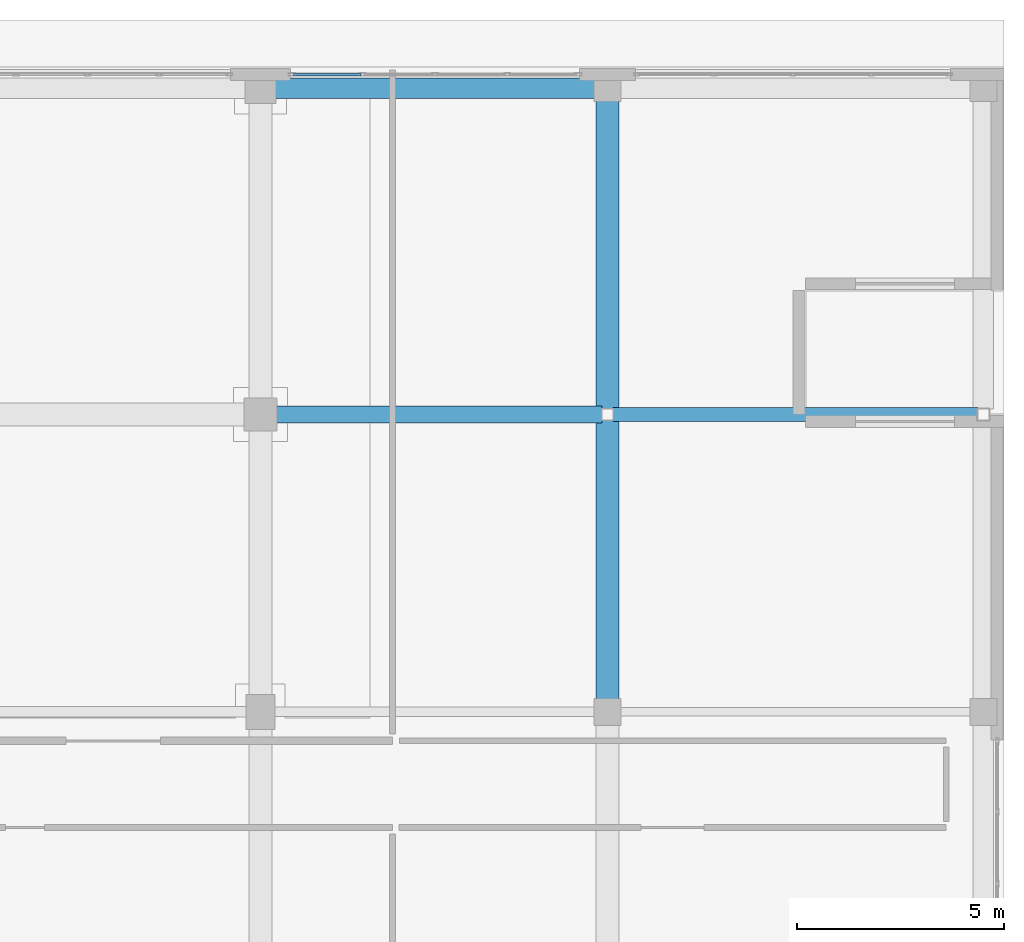
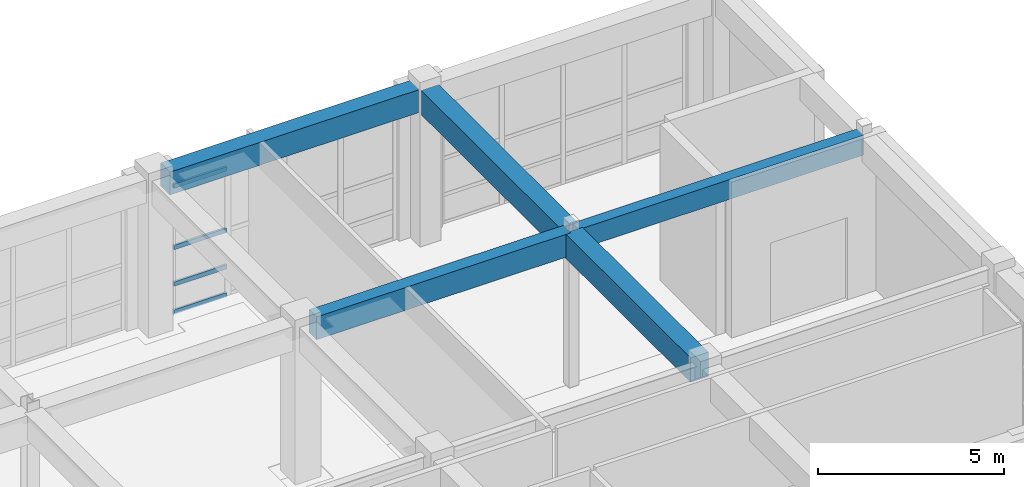
# One storey, part 105 of 148: 5 beams, 4 members, 1 element without a shape of its own.
"""IFC4 building model written with IfcOpenShell, lengths in metres."""

from ifc_helpers import new_model, si_unit, direction, frame, origin, origin_2d, place, context, subcontext, project, spatial, rectangle, hollow_rectangle, extrude, material, layer, layer_set, material_profile, profile_set, type_object, element, aggregate, save


model = new_model("IFC4")

# Units and contexts
model_context = context("Model", 3, precision=1e-05, world=origin(), true_north=direction((0.0, 1.0)))
body_context = subcontext(model_context, "Body", "Model", "MODEL_VIEW")
ifc_project = project(units=[si_unit("LENGTHUNIT", "METRE"), si_unit("AREAUNIT", "SQUARE_METRE"), si_unit("VOLUMEUNIT", "CUBIC_METRE"), si_unit("PLANEANGLEUNIT", "RADIAN"), si_unit("MASSUNIT", "GRAM", prefix="KILO")], contexts=[model_context])

# Site, building, storey
site_placement = place(None, origin())
site = spatial("IfcSite", under=ifc_project, at=site_placement, CompositionType="ELEMENT")
building_placement = place(site_placement, origin())
building = spatial("IfcBuilding", under=site, at=building_placement, Name="Quendrovan Civic Courthouse", CompositionType="ELEMENT")
storey_placement = place(building_placement, origin())
storey = spatial("IfcBuildingStorey", under=building, at=storey_placement, Name="L01", CompositionType="ELEMENT", Elevation=0.0)

# Beams
ifc_material_1 = material(Name="Concrete C40/50", Category="concrete")
ifc_material_profile_1 = material_profile(ifc_material_1, rectangle(XDim=0.35009765625, YDim=0.64990234375, at=origin_2d()), Name="RC-BM-350x650")
ifc_profile_set_1 = profile_set([ifc_material_profile_1], Name="Concrete C40/50")
beam_type_1 = type_object("IfcBeamType", Name="BM-RC650B", PredefinedType="BEAM", material=ifc_profile_set_1)
beam_1_placement = place(storey_placement, frame((151.330078125, 102.0, 4.794921875), z_axis=(1.0, 0.0, 0.0), x_axis=(0.0, 1.0, 0.0)))
element("IfcBeam", 1, at=beam_1_placement, inside=storey, type_object=beam_type_1, Name="L01 Girder X0355", PredefinedType="BEAM", context=body_context, shape_type="SweptSolid", body=[
    extrude(rectangle(XDim=0.35009765625, YDim=0.64990234375, at=origin_2d()), origin(), (0.0, 0.0, 1.0), 8.83984375),
])
ifc_material_profile_2 = material_profile(ifc_material_1, rectangle(XDim=0.5, YDim=0.75, at=origin_2d()), Name="RC-BM-500x750")
ifc_profile_set_2 = profile_set([ifc_material_profile_2], Name="Concrete C40/50")
beam_type_2 = type_object("IfcBeamType", Name="BM-RC750", PredefinedType="SPANDREL", material=ifc_profile_set_2)
beam_2_placement = place(storey_placement, frame((143.155029296875, 109.89990234375, 4.7451171875), z_axis=(1.0, 0.0, 0.0), x_axis=(0.0, 1.0, 0.0)))
element("IfcBeam", 2, at=beam_2_placement, inside=storey, type_object=beam_type_2, Name="L01 Girder X0368", PredefinedType="SPANDREL", context=body_context, shape_type="SweptSolid", body=[
    extrude(rectangle(XDim=0.5, YDim=0.75, at=origin_2d()), origin(), (0.0, 0.0, 1.0), 7.739990234375),
])
ifc_material_profile_3 = material_profile(ifc_material_1, rectangle(XDim=0.39990234375, YDim=0.75, at=origin_2d()), Name="RC-BM-400x750")
ifc_profile_set_3 = profile_set([ifc_material_profile_3], Name="Concrete C40/50")
beam_type_3 = type_object("IfcBeamType", Name="BM-RC750B", PredefinedType="BEAM", material=ifc_profile_set_3)
beam_3_placement = place(storey_placement, frame((143.179931640625, 102.0, 4.7451171875), z_axis=(1.0, 0.0, 0.0), x_axis=(0.0, 1.0, 0.0)))
element("IfcBeam", 3, at=beam_3_placement, inside=storey, type_object=beam_type_3, Name="L01 Girder X0354", PredefinedType="BEAM", context=body_context, shape_type="SweptSolid", body=[
    extrude(rectangle(XDim=0.39990234375, YDim=0.75, at=origin_2d()), origin(), (0.0, 0.0, 1.0), 7.89013671875),
])
ifc_material_profile_4 = material_profile(ifc_material_1, rectangle(XDim=0.550048828125, YDim=0.800048828125, at=origin_2d()), Name="RC-BM-550x800")
ifc_profile_set_4 = profile_set([ifc_material_profile_4], Name="Concrete C40/50")
beam_type_4 = type_object("IfcBeamType", Name="BM-RC800", PredefinedType="BEAM", material=ifc_profile_set_4)
beam_4_placement = place(storey_placement, frame((151.199951171875, 95.10498046875, 4.719970703125), z_axis=(0.0, 1.0, 0.0), x_axis=(-1.0, 0.0, 0.0)))
element("IfcBeam", 4, at=beam_4_placement, inside=storey, type_object=beam_type_4, Name="L01 Girder Y0474", PredefinedType="BEAM", context=body_context, shape_type="SweptSolid", body=[
    extrude(rectangle(XDim=0.550048828125, YDim=0.800048828125, at=origin_2d()), origin(), (0.0, 0.0, 1.0), 6.76513671875),
])
beam_5_placement = place(storey_placement, frame((151.199951171875, 102.1298828125, 4.719970703125), z_axis=(0.0, 1.0, 0.0), x_axis=(-1.0, 0.0, 0.0)))
element("IfcBeam", 5, at=beam_5_placement, inside=storey, type_object=beam_type_4, Name="L01 Girder Y0475", PredefinedType="BEAM", context=body_context, shape_type="SweptSolid", body=[
    extrude(rectangle(XDim=0.550048828125, YDim=0.800048828125, at=origin_2d()), origin(), (0.0, 0.0, 1.0), 7.465087890625),
])

# Curtain wall, members
ifc_material_2 = material(Name="Bronze anodised aluminium and low-E glass", Category="aluminium")
ifc_layer = layer(ifc_material_2, 0.179931640625, Name="Bronze anodised aluminium and low-E glass")
ifc_layer_set = layer_set([ifc_layer], Name="Bronze anodised aluminium and low-E glass")
curtain_wall_type = type_object("IfcCurtainWallType", Name="CW-U70x42", PredefinedType="USERDEFINED", material=ifc_layer_set)
curtain_wall_placement = place(storey_placement, origin())
curtain_wall = element("IfcCurtainWall", 6, at=curtain_wall_placement, inside=storey, type_object=curtain_wall_type, Name="L01 Unitised Hurricane Curtain Wall CW-040", ObjectType="UNITISED CURTAIN WALL", PredefinedType="USERDEFINED")
ifc_material_3 = material(Name="Bronze anodised aluminium", Category="aluminium")
ifc_material_profile_5 = material_profile(ifc_material_3, hollow_rectangle(XDim=0.070068359375, YDim=0.139892578125, WallThickness=0.00390625, at=origin_2d()), Name="CW-TRAN-70x140")
ifc_profile_set_5 = profile_set([ifc_material_profile_5], Name="Bronze anodised aluminium")
member_type = type_object("IfcMemberType", Name="CW-TRAN-A", PredefinedType="USERDEFINED", material=ifc_profile_set_5)
member_1_placement = place(storey_placement, frame((143.594970703125, 110.235107421875, 0.034912109375), z_axis=(1.0, 0.0, 0.0), x_axis=(0.0, 1.0, 0.0)))
member_1 = element("IfcMember", 7, at=member_1_placement, type_object=member_type, Name="CW-040 transom 1.1", ObjectType="TRANSOM", PredefinedType="USERDEFINED", context=body_context, shape_type="SweptSolid", body=[
    extrude(hollow_rectangle(XDim=0.070068359375, YDim=0.139892578125, WallThickness=0.00390625, at=origin_2d()), origin(), (0.0, 0.0, 1.0), 1.64501953125),
])
member_2_placement = place(storey_placement, frame((143.594970703125, 110.235107421875, 0.949951171875), z_axis=(1.0, 0.0, 0.0), x_axis=(0.0, 1.0, 0.0)))
member_2 = element("IfcMember", 8, at=member_2_placement, type_object=member_type, Name="CW-040 transom 1.2", ObjectType="TRANSOM", PredefinedType="USERDEFINED", context=body_context, shape_type="SweptSolid", body=[
    extrude(hollow_rectangle(XDim=0.070068359375, YDim=0.139892578125, WallThickness=0.00390625, at=origin_2d()), origin(), (0.0, 0.0, 1.0), 1.64501953125),
])
member_3_placement = place(storey_placement, frame((143.594970703125, 110.235107421875, 2.14990234375), z_axis=(1.0, 0.0, 0.0), x_axis=(0.0, 1.0, 0.0)))
member_3 = element("IfcMember", 9, at=member_3_placement, type_object=member_type, Name="CW-040 transom 1.3", ObjectType="TRANSOM", PredefinedType="USERDEFINED", context=body_context, shape_type="SweptSolid", body=[
    extrude(hollow_rectangle(XDim=0.070068359375, YDim=0.139892578125, WallThickness=0.00390625, at=origin_2d()), origin(), (0.0, 0.0, 1.0), 1.64501953125),
])
member_4_placement = place(storey_placement, frame((143.594970703125, 110.235107421875, 4.1650390625), z_axis=(1.0, 0.0, 0.0), x_axis=(0.0, 1.0, 0.0)))
member_4 = element("IfcMember", 10, at=member_4_placement, type_object=member_type, Name="CW-040 transom 1.4", ObjectType="TRANSOM", PredefinedType="USERDEFINED", context=body_context, shape_type="SweptSolid", body=[
    extrude(hollow_rectangle(XDim=0.070068359375, YDim=0.139892578125, WallThickness=0.00390625, at=origin_2d()), origin(), (0.0, 0.0, 1.0), 1.64501953125),
])
aggregate(curtain_wall, [member_1, member_2, member_3, member_4])

save(model, "model.ifc")
